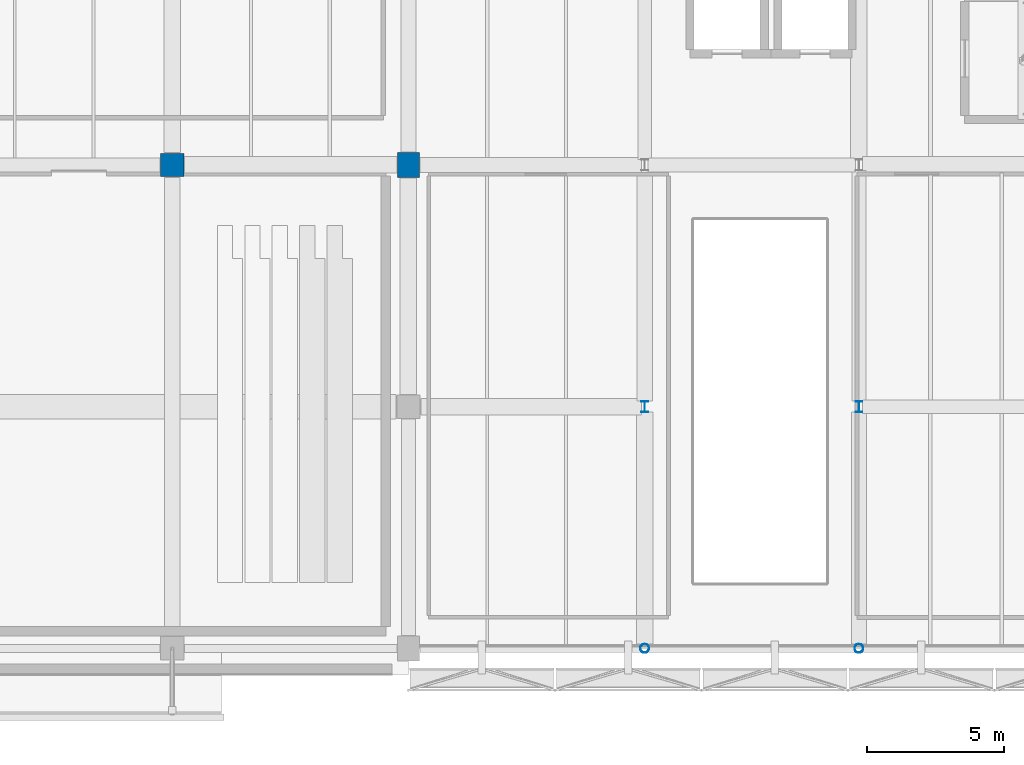
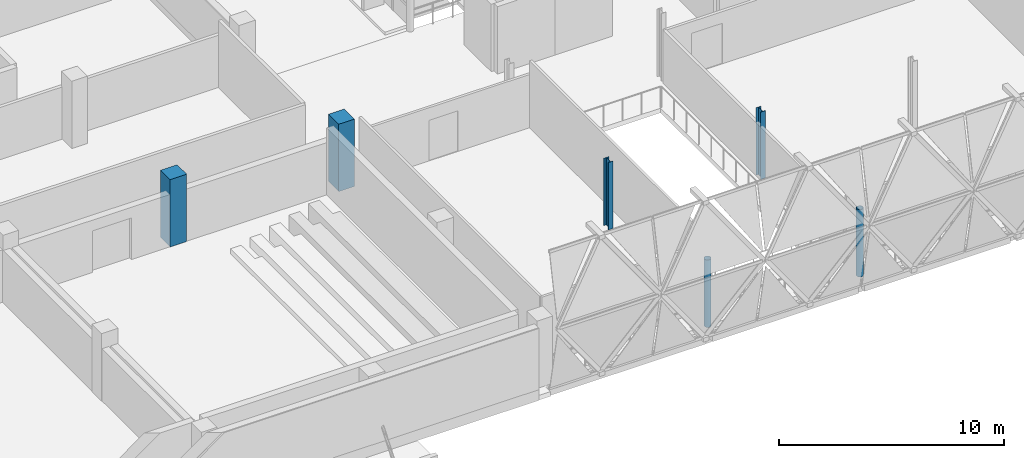
# One storey, part 2 of 80: 6 columns.
"""IFC4 building model written with IfcOpenShell, lengths in metres."""

from ifc_helpers import new_model, si_unit, direction, frame, origin, origin_2d, place, context, subcontext, project, spatial, rectangle, hollow_circle, i_section, extrude, material, material_profile, profile_set, type_object, element, save


model = new_model("IFC4")

# Units and contexts
model_context = context("Model", 3, precision=1e-05, world=origin(), true_north=direction((0.0, 1.0)))
body_context = subcontext(model_context, "Body", "Model", "MODEL_VIEW")
ifc_project = project(units=[si_unit("LENGTHUNIT", "METRE"), si_unit("AREAUNIT", "SQUARE_METRE"), si_unit("VOLUMEUNIT", "CUBIC_METRE"), si_unit("PLANEANGLEUNIT", "RADIAN"), si_unit("MASSUNIT", "GRAM", prefix="KILO")], contexts=[model_context])

# Site, building, storey
site_placement = place(None, origin())
site = spatial("IfcSite", under=ifc_project, at=site_placement, CompositionType="ELEMENT")
building_placement = place(site_placement, origin())
building = spatial("IfcBuilding", under=site, at=building_placement, Name="Varnakota Cinema and Media Centre", CompositionType="ELEMENT")
storey_placement = place(building_placement, frame((0.0, 0.0, 4.5)))
storey = spatial("IfcBuildingStorey", under=building, at=storey_placement, Name="L01", CompositionType="ELEMENT", Elevation=4.5)

# Columns
ifc_material_1 = material(Name="Concrete M40", Category="concrete")
ifc_material_profile_1 = material_profile(ifc_material_1, rectangle(XDim=0.800048828125, YDim=0.89990234375, at=origin_2d()), Name="RC 800x900")
ifc_profile_set_1 = profile_set([ifc_material_profile_1], Name="Concrete M40")
column_type_1 = type_object("IfcColumnType", Name="COL-RC-800x900", PredefinedType="COLUMN", material=ifc_profile_set_1)
column_1_placement = place(storey_placement, frame((43.0, 17.60009765625, 0.0), z_axis=(0.0, 0.0, 1.0), x_axis=(1.0, 0.0, 0.0)))
element("IfcColumn", 1, at=column_1_placement, inside=storey, type_object=column_type_1, Name="L01 column F/3", PredefinedType="COLUMN", context=body_context, shape_type="SweptSolid", body=[
    extrude(rectangle(XDim=0.800048828125, YDim=0.89990234375, at=origin_2d()), origin(), (0.0, 0.0, 1.0), 3.64990234375),
])
ifc_material_2 = material(Name="Concrete M50", Category="concrete")
ifc_material_profile_2 = material_profile(ifc_material_2, rectangle(XDim=0.85009765625, YDim=0.85009765625, at=origin_2d()), Name="RC 850x850")
ifc_profile_set_2 = profile_set([ifc_material_profile_2], Name="Concrete M50")
column_type_2 = type_object("IfcColumnType", Name="COL-RC-850x850", PredefinedType="COLUMN", material=ifc_profile_set_2)
column_2_placement = place(storey_placement, frame((34.39990234375, 17.60009765625, 0.0), z_axis=(0.0, 0.0, 1.0), x_axis=(1.0, 0.0, 0.0)))
element("IfcColumn", 2, at=column_2_placement, inside=storey, type_object=column_type_2, Name="L01 column E/3", PredefinedType="COLUMN", context=body_context, shape_type="SweptSolid", body=[
    extrude(rectangle(XDim=0.85009765625, YDim=0.85009765625, at=origin_2d()), origin(), (0.0, 0.0, 1.0), 3.64990234375),
])
ifc_material_3 = material(Name="Structural steel S355 (YSt 355)", Category="steel")
ifc_material_profile_3 = material_profile(ifc_material_3, hollow_circle(Radius=0.161865234375, WallThickness=0.010009765625, at=origin_2d()), Name="CHS 323.9x10.0")
ifc_profile_set_3 = profile_set([ifc_material_profile_3], Name="Structural steel S355 (YSt 355)")
column_type_3 = type_object("IfcColumnType", Name="COL-ST-CHS324", PredefinedType="COLUMN", material=ifc_profile_set_3)
for number, where, z_axis, x_axis, name in (
    (3, (51.60009765625, 0.0, 0.0), (0.0, 0.0, 1.0), (1.0, 0.0, 0.0), "L01 column G/1"),
    (4, (59.39990234375, 0.0, 0.0), (0.0, 0.0, 1.0), (1.0, 0.0, 0.0), "L01 column H/1"),
):
    element("IfcColumn", number, at=place(storey_placement, frame(where, z_axis=z_axis, x_axis=x_axis)), inside=storey, type_object=column_type_3, Name=name, PredefinedType="COLUMN", context=body_context, shape_type="SweptSolid", body=[
        extrude(hollow_circle(Radius=0.161865234375, WallThickness=0.010009765625, at=origin_2d()), origin(), (0.0, 0.0, 1.0), 3.64990234375),
    ])
ifc_material_4 = material(Name="Structural steel Grade 350 (E350)", Category="steel")
ifc_material_profile_4 = material_profile(ifc_material_4, i_section(OverallWidth=0.25, OverallDepth=0.39990234375, WebThickness=0.010498046875, FlangeThickness=0.0126953125, FilletRadius=0.011962890625, at=origin_2d()), Name="ISHB 400")
ifc_profile_set_4 = profile_set([ifc_material_profile_4], Name="Structural steel Grade 350 (E350)")
column_type_4 = type_object("IfcColumnType", Name="COL-ST-ISHB400", PredefinedType="COLUMN", material=ifc_profile_set_4)
for number, where, z_axis, x_axis, name in (
    (5, (51.60009765625, 8.800048828125, 0.0), (0.0, 0.0, 1.0), (1.0, 0.0, 0.0), "L01 column G/2"),
    (6, (59.39990234375, 8.800048828125, 0.0), (0.0, 0.0, 1.0), (1.0, 0.0, 0.0), "L01 column H/2"),
):
    element("IfcColumn", number, at=place(storey_placement, frame(where, z_axis=z_axis, x_axis=x_axis)), inside=storey, type_object=column_type_4, Name=name, PredefinedType="COLUMN", context=body_context, shape_type="SweptSolid", body=[
        extrude(i_section(OverallWidth=0.25, OverallDepth=0.39990234375, WebThickness=0.010498046875, FlangeThickness=0.0126953125, FilletRadius=0.011962890625, at=origin_2d()), origin(), (0.0, 0.0, 1.0), 3.64990234375),
    ])

save(model, "model.ifc")
